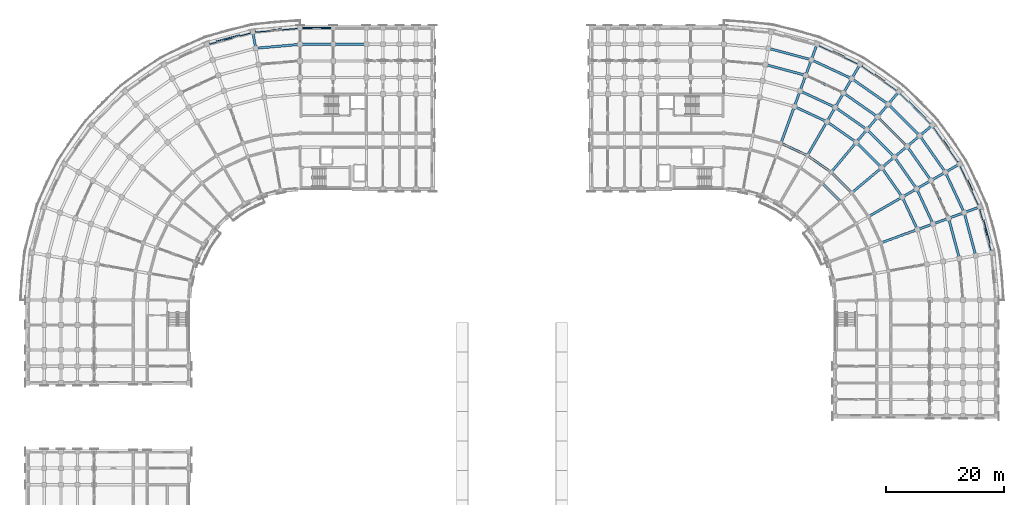
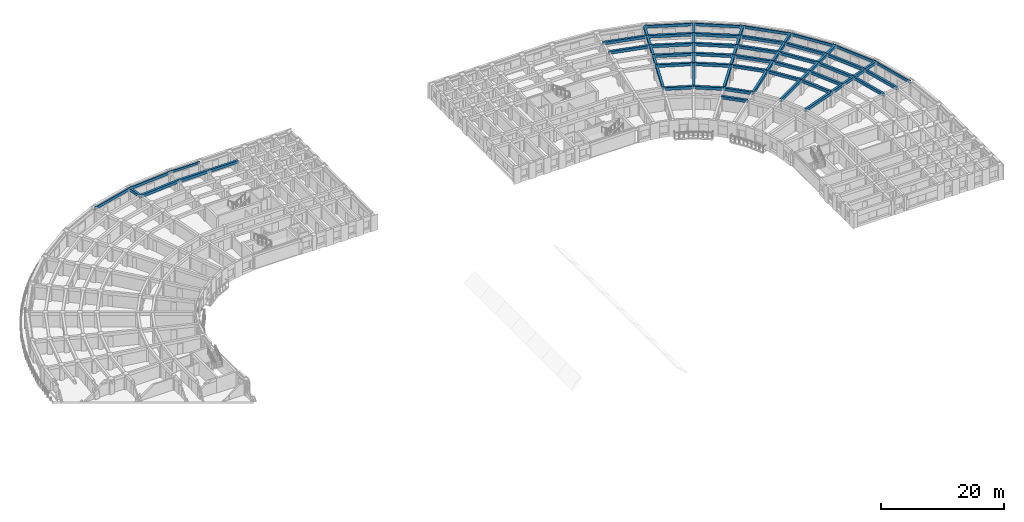
# One storey, part 12 of 54: 71 beams.
"""IFC4 building model written with IfcOpenShell, lengths in metres."""

import ifcopenshell
import ifcopenshell.guid

model = None  # the IFC model being written
_history = None  # IfcOwnerHistory: only IFC2X3 demands one
_inside = {}  # id of a spatial element -> (the spatial element, [elements in it])
_under = {}  # id of a project, library or spatial element -> (it, [spatial elements below it])
_declared = {}  # id of a project -> (the project, [libraries it declares])
_typed = {}  # id of a type object -> (the type object, [elements of that type])
_made_of = {}  # id of a material, layer set ... -> (it, [elements and type objects made of it])


def new_model(schema):
    """Start an empty IFC model of exactly this schema.

    Asked for "IFC4X3", IfcOpenShell would pick the latest addendum, in which some entities
    have other attributes; the version numbers below select the first issue.
    IFC2X3 requires an IfcOwnerHistory on every rooted entity: one is made here for all.
    """
    global model, _history
    if schema == "IFC4X3":
        model = ifcopenshell.file(schema_version=(4, 3, 0, 0))
    else:
        model = ifcopenshell.file(schema=schema)
    _inside.clear()
    _under.clear()
    _declared.clear()
    _typed.clear()
    _made_of.clear()
    _history = None
    if model.schema == "IFC2X3":
        org = make("IfcOrganization", Name="unknown")
        user = make(
            "IfcPersonAndOrganization",
            ThePerson=make("IfcPerson", FamilyName="unknown"),
            TheOrganization=org,
        )
        app = make(
            "IfcApplication",
            ApplicationDeveloper=org,
            Version="unknown",
            ApplicationFullName="unknown",
            ApplicationIdentifier="unknown",
        )
        _history = make(
            "IfcOwnerHistory",
            OwningUser=user,
            OwningApplication=app,
            ChangeAction="ADDED",
            CreationDate=0,
        )
    return model


def make(cls, **values):
    """One entity of the class cls with the attributes given. An attribute that is None is left unset."""
    return model.create_entity(
        cls, **{name: value for name, value in values.items() if value is not None}
    )


def rooted(cls, **values):
    """An entity with a GlobalId (a new one), such as an element, a storey or a relation."""
    return make(cls, GlobalId=ifcopenshell.guid.new(), OwnerHistory=_history, **values)


def si_unit(unit_type, name, prefix=None):
    """IfcSIUnit, for example si_unit("LENGTHUNIT", "METRE", prefix="MILLI")."""
    return make("IfcSIUnit", UnitType=unit_type, Prefix=prefix, Name=name)


def assignment(units):
    """IfcUnitAssignment: the units of a project."""
    return None if units is None else make("IfcUnitAssignment", Units=units)


def point(xyz):
    """IfcCartesianPoint."""
    return None if xyz is None else make("IfcCartesianPoint", Coordinates=xyz)


def direction(xyz):
    """IfcDirection."""
    return None if xyz is None else make("IfcDirection", DirectionRatios=xyz)


def frame(location, z_axis=None, x_axis=None):
    """IfcAxis2Placement3D, a coordinate frame: its origin and axes. An axis left out is left unset."""
    return make(
        "IfcAxis2Placement3D",
        Location=point(location),
        Axis=direction(z_axis),
        RefDirection=direction(x_axis),
    )


def frame_2d(location, x_axis=None):
    """IfcAxis2Placement2D, a coordinate frame in the plane: its origin and x axis."""
    return make(
        "IfcAxis2Placement2D", Location=point(location), RefDirection=direction(x_axis)
    )


def origin():
    """The frame at (0, 0, 0) with its axes left unset."""
    return frame((0.0, 0.0, 0.0))


def origin_2d():
    """The frame at (0, 0) in the plane with its x axis left unset."""
    return frame_2d((0.0, 0.0))


def place(relative_to, where):
    """IfcLocalPlacement: puts the frame where relative to a parent placement (None: the world)."""
    return make(
        "IfcLocalPlacement", PlacementRelTo=relative_to, RelativePlacement=where
    )


def context(
    kind, dimensions, precision=None, world=None, true_north=None, identifier=None
):
    """IfcGeometricRepresentationContext, for example the 3D "Model" context."""
    return make(
        "IfcGeometricRepresentationContext",
        ContextIdentifier=identifier,
        ContextType=kind,
        CoordinateSpaceDimension=dimensions,
        Precision=precision,
        WorldCoordinateSystem=world,
        TrueNorth=true_north,
    )


def subcontext(parent, identifier, kind, view, scale=None):
    """IfcGeometricRepresentationSubContext, for example "Body" below "Model"."""
    return make(
        "IfcGeometricRepresentationSubContext",
        ContextIdentifier=identifier,
        ContextType=kind,
        ParentContext=parent,
        TargetScale=scale,
        TargetView=view,
    )


def project(units=None, contexts=None):
    """IfcProject with its units and contexts."""
    return rooted(
        "IfcProject",
        Name="project",
        RepresentationContexts=contexts,
        UnitsInContext=assignment(units),
    )


def spatial(cls, under=None, at=None, **own):
    """A site, building, storey or space (cls), placed at a placement, below another one or the project."""
    s = rooted(cls, ObjectPlacement=at, **own)
    if under is not None:
        _under.setdefault(under.id(), (under, []))[1].append(s)
    return s


def profile(cls, at=None, kind="AREA", **sizes):
    """A parametric profile (cls). Its sizes go by their IFC names, for example OverallWidth=200.0."""
    return make(cls, ProfileType=kind, Position=at, **sizes)


def rectangle(**sizes):
    """IfcRectangleProfileDef."""
    return profile("IfcRectangleProfileDef", **sizes)


def extrude(swept, where, along, depth):
    """IfcExtrudedAreaSolid: the profile swept, set in the frame where, extruded along a direction by depth."""
    return make(
        "IfcExtrudedAreaSolid",
        SweptArea=swept,
        Position=where,
        ExtrudedDirection=direction(along),
        Depth=depth,
    )


def shape(context_of_items, identifier, shape_type, items):
    """IfcShapeRepresentation: the items that make up one representation, for example the "Body"."""
    return make(
        "IfcShapeRepresentation",
        ContextOfItems=context_of_items,
        RepresentationIdentifier=identifier,
        RepresentationType=shape_type,
        Items=items,
    )


def material(Name=None, Category=None):
    """IfcMaterial."""
    return make("IfcMaterial", Name=Name, Category=Category)


def material_profile(
    of_material, cross_section, Name=None, Category=None, Priority=None
):
    """IfcMaterialProfile: a cross section and its material."""
    return make(
        "IfcMaterialProfile",
        Name=Name,
        Material=of_material,
        Profile=cross_section,
        Priority=Priority,
        Category=Category,
    )


def profile_set(profiles, Name=None, composite=None):
    """IfcMaterialProfileSet."""
    return make(
        "IfcMaterialProfileSet",
        Name=Name,
        MaterialProfiles=profiles,
        CompositeProfile=composite,
    )


def made_of(thing, what):
    """Note that an element or type object is made of a material, layer set ...; save() writes the relation."""
    if what is not None:
        _made_of.setdefault(what.id(), (what, []))[1].append(thing)
    return thing


def type_object(cls, material=None, **own):
    """A type object (cls), such as IfcWallType, which elements share."""
    return made_of(rooted(cls, **own), material)


def element(
    cls,
    number,
    at=None,
    inside=None,
    cuts=None,
    type_object=None,
    material=None,
    context=None,
    identifier="Body",
    shape_type=None,
    held_by="IfcProductDefinitionShape",
    body=None,
    shapes=None,
    **own,
):
    """One element of the class cls, such as IfcWall. Its Tag is "e" and its number.

    at: its placement. inside: the storey or other place that contains it. cuts: it is an
    opening in that element (IfcRelVoidsElement). A single representation is given by context,
    identifier, shape_type and body (its items); several are given by shapes. held_by: the class
    of the entity that holds the representations. save() writes the other relations.
    """
    e = rooted(cls, Tag="e%d" % number, ObjectPlacement=at, **own)
    if body is not None:
        shapes = [shape(context, identifier, shape_type, body)]
    if shapes is not None:
        e.Representation = make(held_by, Representations=shapes)
    if inside is not None:
        _inside.setdefault(inside.id(), (inside, []))[1].append(e)
    if cuts is not None:
        rooted(
            "IfcRelVoidsElement", RelatingBuildingElement=cuts, RelatedOpeningElement=e
        )
    if type_object is not None:
        _typed.setdefault(type_object.id(), (type_object, []))[1].append(e)
    return made_of(e, material)


def aggregate(whole, parts):
    """IfcRelAggregates: a whole, such as a stair, and the parts it consists of."""
    return rooted("IfcRelAggregates", RelatingObject=whole, RelatedObjects=parts)


def save(model, path):
    """Write the relations noted so far, then the file.

    IfcRelAggregates (storeys below a building ...), IfcRelContainedInSpatialStructure (elements
    in a storey), IfcRelDefinesByType, IfcRelAssociatesMaterial and IfcRelDeclares: one each for
    every whole, place, type object, material and project.
    """
    for whole, parts in _under.values():
        aggregate(whole, parts)
    for where, things in _inside.values():
        rooted(
            "IfcRelContainedInSpatialStructure",
            RelatedElements=things,
            RelatingStructure=where,
        )
    for kind, things in _typed.values():
        rooted("IfcRelDefinesByType", RelatedObjects=things, RelatingType=kind)
    for what, things in _made_of.values():
        rooted("IfcRelAssociatesMaterial", RelatedObjects=things, RelatingMaterial=what)
    for by, libraries in _declared.values():
        rooted("IfcRelDeclares", RelatingContext=by, RelatedDefinitions=libraries)
    model.write(path)


model = new_model("IFC4")

# Units and contexts
model_context = context("Model", 3, precision=1e-05, world=origin(), true_north=direction((0.0, 1.0)))
body_context = subcontext(model_context, "Body", "Model", "MODEL_VIEW")
ifc_project = project(units=[si_unit("LENGTHUNIT", "METRE"), si_unit("AREAUNIT", "SQUARE_METRE"), si_unit("VOLUMEUNIT", "CUBIC_METRE"), si_unit("PLANEANGLEUNIT", "RADIAN"), si_unit("MASSUNIT", "GRAM", prefix="KILO")], contexts=[model_context])

# Site, building, storey
site_placement = place(None, origin())
site = spatial("IfcSite", under=ifc_project, at=site_placement, CompositionType="ELEMENT")
building_placement = place(site_placement, origin())
building = spatial("IfcBuilding", under=site, at=building_placement, Name="Kiranvali Square Residences", CompositionType="ELEMENT")
storey_placement = place(building_placement, frame((0.0, 0.0, 11.85009765625)))
storey = spatial("IfcBuildingStorey", under=building, at=storey_placement, Name="L03", CompositionType="ELEMENT", Elevation=11.85009765625)

# Beams
ifc_material_1 = material(Name="Concrete M45 (45 MPa)", Category="concrete")
ifc_material_profile_1 = material_profile(ifc_material_1, rectangle(XDim=0.39990234375, YDim=0.550048828125, at=origin_2d()), Name="RC 400x550")
ifc_profile_set_1 = profile_set([ifc_material_profile_1], Name="Concrete M45 (45 MPa)")
beam_type_1 = type_object("IfcBeamType", Name="BM-M45-400x550", PredefinedType="BEAM", material=ifc_profile_set_1)
beam_1_placement = place(storey_placement, frame((48.199951171875, 131.0, 2.65478515625), z_axis=(-0.996195195417, -0.087150058103, 0.0), x_axis=(0.087150058103, -0.996195195417, 0.0)))
element("IfcBeam", 1, at=beam_1_placement, inside=storey, type_object=beam_type_1, Name="L03 beam BM-A-L03-C00-R6", PredefinedType="BEAM", context=body_context, shape_type="SweptSolid", body=[
    extrude(rectangle(XDim=0.39990234375, YDim=0.550048828125, at=origin_2d()), origin(), (0.0, 0.0, 1.0), 7.530029296875),
])
beam_2_placement = place(storey_placement, frame((40.698486328125, 130.34375, 2.65478515625), z_axis=(-0.173695795656, 0.984799355489, 0.0), x_axis=(-0.984799355489, -0.173695795656, 0.0)))
element("IfcBeam", 2, at=beam_2_placement, inside=storey, type_object=beam_type_1, Name="L03 beam BM-A-L03-RAD01-67", PredefinedType="BEAM", context=body_context, shape_type="SweptSolid", body=[
    extrude(rectangle(XDim=0.39990234375, YDim=0.550048828125, at=origin_2d()), origin(), (0.0, 0.0, 1.0), 2.7998046875),
])
beam_3_placement = place(storey_placement, frame((48.199951171875, 131.0, 2.65478515625), z_axis=(1.0, 0.0, 0.0), x_axis=(0.0, 1.0, 0.0)))
element("IfcBeam", 3, at=beam_3_placement, inside=storey, type_object=beam_type_1, Name="L03 beam BM-A-L03-A1U0-R6", PredefinedType="BEAM", context=body_context, shape_type="SweptSolid", body=[
    extrude(rectangle(XDim=0.39990234375, YDim=0.550048828125, at=origin_2d()), origin(), (0.0, 0.0, 1.0), 5.60009765625),
])
beam_4_placement = place(storey_placement, frame((53.800048828125, 131.0, 2.65478515625), z_axis=(1.0, 0.0, 0.0), x_axis=(0.0, 1.0, 0.0)))
element("IfcBeam", 4, at=beam_4_placement, inside=storey, type_object=beam_type_1, Name="L03 beam BM-A-L03-A1U1-R6", PredefinedType="BEAM", context=body_context, shape_type="SweptSolid", body=[
    extrude(rectangle(XDim=0.39990234375, YDim=0.550048828125, at=origin_2d()), origin(), (0.0, 0.0, 1.0), 5.599853515625),
])
beam_5_placement = place(storey_placement, frame((126.8154296875, 127.586181640625, 2.65478515625), z_axis=(0.965931029817, -0.258799624492, 0.0), x_axis=(0.258799624492, 0.965931029817, 0.0)))
element("IfcBeam", 5, at=beam_5_placement, inside=storey, type_object=beam_type_1, Name="L03 beam BM-B-L03-C01-R5", PredefinedType="BEAM", context=body_context, shape_type="SweptSolid", body=[
    extrude(rectangle(XDim=0.39990234375, YDim=0.550048828125, at=origin_2d()), origin(), (0.0, 0.0, 1.0), 7.042236328125),
])
beam_6_placement = place(storey_placement, frame((127.301513671875, 130.34375, 2.65478515625), z_axis=(0.965925909693, -0.258818733833, 0.0), x_axis=(0.258818733833, 0.965925909693, 0.0)))
element("IfcBeam", 6, at=beam_6_placement, inside=storey, type_object=beam_type_1, Name="L03 beam BM-B-L03-C01-R6", PredefinedType="BEAM", context=body_context, shape_type="SweptSolid", body=[
    extrude(rectangle(XDim=0.39990234375, YDim=0.550048828125, at=origin_2d()), origin(), (0.0, 0.0, 1.0), 7.5302734375),
])
beam_7_placement = place(storey_placement, frame((129.445068359375, 114.29931640625, 2.65478515625), z_axis=(0.906302381024, -0.422629854778, 0.0), x_axis=(0.422629854778, 0.906302381024, 0.0)))
element("IfcBeam", 7, at=beam_7_placement, inside=storey, type_object=beam_type_1, Name="L03 beam BM-B-L03-C02-R2", PredefinedType="BEAM", context=body_context, shape_type="SweptSolid", body=[
    extrude(rectangle(XDim=0.39990234375, YDim=0.550048828125, at=origin_2d()), origin(), (0.0, 0.0, 1.0), 4.915283203125),
])
beam_8_placement = place(storey_placement, frame((131.702392578125, 120.501220703125, 2.65478515625), z_axis=(0.906312656069, -0.42260781991, 0.0), x_axis=(0.42260781991, 0.906312656069, 0.0)))
element("IfcBeam", 8, at=beam_8_placement, inside=storey, type_object=beam_type_1, Name="L03 beam BM-B-L03-C02-R3", PredefinedType="BEAM", context=body_context, shape_type="SweptSolid", body=[
    extrude(rectangle(XDim=0.39990234375, YDim=0.550048828125, at=origin_2d()), origin(), (0.0, 0.0, 1.0), 6.06591796875),
])
beam_9_placement = place(storey_placement, frame((132.659912109375, 123.13232421875, 2.65478515625), z_axis=(0.906318225223, -0.422595876255, 0.0), x_axis=(0.422595876255, 0.906318225223, 0.0)))
element("IfcBeam", 9, at=beam_9_placement, inside=storey, type_object=beam_type_1, Name="L03 beam BM-B-L03-C02-R4", PredefinedType="BEAM", context=body_context, shape_type="SweptSolid", body=[
    extrude(rectangle(XDim=0.39990234375, YDim=0.550048828125, at=origin_2d()), origin(), (0.0, 0.0, 1.0), 6.55419921875),
])
beam_10_placement = place(storey_placement, frame((133.61767578125, 125.763671875, 2.65478515625), z_axis=(0.906297360311, -0.422640621205, 0.0), x_axis=(0.422640621205, 0.906297360311, 0.0)))
element("IfcBeam", 10, at=beam_10_placement, inside=storey, type_object=beam_type_1, Name="L03 beam BM-B-L03-C02-R5", PredefinedType="BEAM", context=body_context, shape_type="SweptSolid", body=[
    extrude(rectangle(XDim=0.39990234375, YDim=0.550048828125, at=origin_2d()), origin(), (0.0, 0.0, 1.0), 7.042236328125),
])
beam_11_placement = place(storey_placement, frame((134.5751953125, 128.394775390625, 2.65478515625), z_axis=(0.90630982703, -0.422613886933, 0.0), x_axis=(0.422613886933, 0.90630982703, 0.0)))
element("IfcBeam", 11, at=beam_11_placement, inside=storey, type_object=beam_type_1, Name="L03 beam BM-B-L03-C02-R6", PredefinedType="BEAM", context=body_context, shape_type="SweptSolid", body=[
    extrude(rectangle(XDim=0.39990234375, YDim=0.550048828125, at=origin_2d()), origin(), (0.0, 0.0, 1.0), 7.5302734375),
])
beam_12_placement = place(storey_placement, frame((133.89990234375, 112.221923828125, 2.65478515625), z_axis=(0.819140911474, -0.573592335331, 0.0), x_axis=(0.573592335331, 0.819140911474, 0.0)))
element("IfcBeam", 12, at=beam_12_placement, inside=storey, type_object=beam_type_1, Name="L03 beam BM-B-L03-C03-R2", PredefinedType="BEAM", context=body_context, shape_type="SweptSolid", body=[
    extrude(rectangle(XDim=0.39990234375, YDim=0.550048828125, at=origin_2d()), origin(), (0.0, 0.0, 1.0), 4.915771484375),
])
beam_13_placement = place(storey_placement, frame((137.199951171875, 117.937744140625, 2.65478515625), z_axis=(0.81913926159, -0.573594691504, 0.0), x_axis=(0.573594691504, 0.81913926159, 0.0)))
element("IfcBeam", 13, at=beam_13_placement, inside=storey, type_object=beam_type_1, Name="L03 beam BM-B-L03-C03-R3", PredefinedType="BEAM", context=body_context, shape_type="SweptSolid", body=[
    extrude(rectangle(XDim=0.39990234375, YDim=0.550048828125, at=origin_2d()), origin(), (0.0, 0.0, 1.0), 6.066162109375),
])
beam_14_placement = place(storey_placement, frame((138.60009765625, 120.362548828125, 2.65478515625), z_axis=(0.819144409176, -0.573587340268, 0.0), x_axis=(0.573587340268, 0.819144409176, 0.0)))
element("IfcBeam", 14, at=beam_14_placement, inside=storey, type_object=beam_type_1, Name="L03 beam BM-B-L03-C03-R4", PredefinedType="BEAM", context=body_context, shape_type="SweptSolid", body=[
    extrude(rectangle(XDim=0.39990234375, YDim=0.550048828125, at=origin_2d()), origin(), (0.0, 0.0, 1.0), 6.553955078125),
])
beam_15_placement = place(storey_placement, frame((140.0, 122.787353515625, 2.65478515625), z_axis=(0.819160249246, -0.57356471828, 0.0), x_axis=(0.57356471828, 0.819160249246, 0.0)))
element("IfcBeam", 15, at=beam_15_placement, inside=storey, type_object=beam_type_1, Name="L03 beam BM-B-L03-C03-R5", PredefinedType="BEAM", context=body_context, shape_type="SweptSolid", body=[
    extrude(rectangle(XDim=0.39990234375, YDim=0.550048828125, at=origin_2d()), origin(), (0.0, 0.0, 1.0), 7.0419921875),
])
beam_16_placement = place(storey_placement, frame((141.39990234375, 125.21240234375, 2.65478515625), z_axis=(0.819143569597, -0.573588539275, 0.0), x_axis=(0.573588539275, 0.819143569597, 0.0)))
element("IfcBeam", 16, at=beam_16_placement, inside=storey, type_object=beam_type_1, Name="L03 beam BM-B-L03-C03-R6", PredefinedType="BEAM", context=body_context, shape_type="SweptSolid", body=[
    extrude(rectangle(XDim=0.39990234375, YDim=0.550048828125, at=origin_2d()), origin(), (0.0, 0.0, 1.0), 7.5302734375),
])
beam_17_placement = place(storey_placement, frame((136.384033203125, 107.56396484375, 2.65478515625), z_axis=(0.707106781187, -0.707106781187, 0.0), x_axis=(0.707106781187, 0.707106781187, 0.0)))
element("IfcBeam", 17, at=beam_17_placement, inside=storey, type_object=beam_type_1, Name="L03 beam BM-B-L03-C04-R1", PredefinedType="BEAM", context=body_context, shape_type="SweptSolid", body=[
    extrude(rectangle(XDim=0.39990234375, YDim=0.550048828125, at=origin_2d()), origin(), (0.0, 0.0, 1.0), 4.4970703125),
])
beam_18_placement = place(storey_placement, frame((137.926513671875, 109.40234375, 2.65478515625), z_axis=(0.707106781187, -0.707106781187, 0.0), x_axis=(0.707106781187, 0.707106781187, 0.0)))
element("IfcBeam", 18, at=beam_18_placement, inside=storey, type_object=beam_type_1, Name="L03 beam BM-B-L03-C04-R2", PredefinedType="BEAM", context=body_context, shape_type="SweptSolid", body=[
    extrude(rectangle(XDim=0.39990234375, YDim=0.550048828125, at=origin_2d()), origin(), (0.0, 0.0, 1.0), 4.91552734375),
])
beam_19_placement = place(storey_placement, frame((142.1689453125, 114.458251953125, 2.65478515625), z_axis=(0.707106781187, -0.707106781187, 0.0), x_axis=(0.707106781187, 0.707106781187, 0.0)))
element("IfcBeam", 19, at=beam_19_placement, inside=storey, type_object=beam_type_1, Name="L03 beam BM-B-L03-C04-R3", PredefinedType="BEAM", context=body_context, shape_type="SweptSolid", body=[
    extrude(rectangle(XDim=0.39990234375, YDim=0.550048828125, at=origin_2d()), origin(), (0.0, 0.0, 1.0), 6.06591796875),
])
beam_20_placement = place(storey_placement, frame((143.96875, 116.603271484375, 2.65478515625), z_axis=(0.707106781187, -0.707106781187, 0.0), x_axis=(0.707106781187, 0.707106781187, 0.0)))
element("IfcBeam", 20, at=beam_20_placement, inside=storey, type_object=beam_type_1, Name="L03 beam BM-B-L03-C04-R4", PredefinedType="BEAM", context=body_context, shape_type="SweptSolid", body=[
    extrude(rectangle(XDim=0.39990234375, YDim=0.550048828125, at=origin_2d()), origin(), (0.0, 0.0, 1.0), 6.55419921875),
])
beam_21_placement = place(storey_placement, frame((145.7685546875, 118.748291015625, 2.65478515625), z_axis=(0.707106781187, -0.707106781187, 0.0), x_axis=(0.707106781187, 0.707106781187, 0.0)))
element("IfcBeam", 21, at=beam_21_placement, inside=storey, type_object=beam_type_1, Name="L03 beam BM-B-L03-C04-R5", PredefinedType="BEAM", context=body_context, shape_type="SweptSolid", body=[
    extrude(rectangle(XDim=0.39990234375, YDim=0.550048828125, at=origin_2d()), origin(), (0.0, 0.0, 1.0), 7.04248046875),
])
beam_22_placement = place(storey_placement, frame((147.568359375, 120.89306640625, 2.65478515625), z_axis=(0.707106781187, -0.707106781187, 0.0), x_axis=(0.707106781187, 0.707106781187, 0.0)))
element("IfcBeam", 22, at=beam_22_placement, inside=storey, type_object=beam_type_1, Name="L03 beam BM-B-L03-C04-R6", PredefinedType="BEAM", context=body_context, shape_type="SweptSolid", body=[
    extrude(rectangle(XDim=0.39990234375, YDim=0.550048828125, at=origin_2d()), origin(), (0.0, 0.0, 1.0), 7.5302734375),
])
beam_23_placement = place(storey_placement, frame((146.458251953125, 110.1689453125, 2.65478515625), z_axis=(0.573594691504, -0.81913926159, 0.0), x_axis=(0.81913926159, 0.573594691504, 0.0)))
element("IfcBeam", 23, at=beam_23_placement, inside=storey, type_object=beam_type_1, Name="L03 beam BM-B-L03-C05-R3", PredefinedType="BEAM", context=body_context, shape_type="SweptSolid", body=[
    extrude(rectangle(XDim=0.39990234375, YDim=0.550048828125, at=origin_2d()), origin(), (0.0, 0.0, 1.0), 6.066162109375),
])
beam_24_placement = place(storey_placement, frame((148.603271484375, 111.96875, 2.65478515625), z_axis=(0.573587340268, -0.819144409176, 0.0), x_axis=(0.819144409176, 0.573587340268, 0.0)))
element("IfcBeam", 24, at=beam_24_placement, inside=storey, type_object=beam_type_1, Name="L03 beam BM-B-L03-C05-R4", PredefinedType="BEAM", context=body_context, shape_type="SweptSolid", body=[
    extrude(rectangle(XDim=0.39990234375, YDim=0.550048828125, at=origin_2d()), origin(), (0.0, 0.0, 1.0), 6.553955078125),
])
beam_25_placement = place(storey_placement, frame((150.748291015625, 113.7685546875, 2.65478515625), z_axis=(0.57356471828, -0.819160249246, 0.0), x_axis=(0.819160249246, 0.57356471828, 0.0)))
element("IfcBeam", 25, at=beam_25_placement, inside=storey, type_object=beam_type_1, Name="L03 beam BM-B-L03-C05-R5", PredefinedType="BEAM", context=body_context, shape_type="SweptSolid", body=[
    extrude(rectangle(XDim=0.39990234375, YDim=0.550048828125, at=origin_2d()), origin(), (0.0, 0.0, 1.0), 7.0419921875),
])
beam_26_placement = place(storey_placement, frame((152.89306640625, 115.568359375, 2.65478515625), z_axis=(0.573588539275, -0.819143569597, 0.0), x_axis=(0.819143569597, 0.573588539275, 0.0)))
element("IfcBeam", 26, at=beam_26_placement, inside=storey, type_object=beam_type_1, Name="L03 beam BM-B-L03-C05-R6", PredefinedType="BEAM", context=body_context, shape_type="SweptSolid", body=[
    extrude(rectangle(XDim=0.39990234375, YDim=0.550048828125, at=origin_2d()), origin(), (0.0, 0.0, 1.0), 7.5302734375),
])
beam_27_placement = place(storey_placement, frame((149.937744140625, 105.199951171875, 2.65478515625), z_axis=(0.42260781991, -0.906312656069, 0.0), x_axis=(0.906312656069, 0.42260781991, 0.0)))
element("IfcBeam", 27, at=beam_27_placement, inside=storey, type_object=beam_type_1, Name="L03 beam BM-B-L03-C06-R3", PredefinedType="BEAM", context=body_context, shape_type="SweptSolid", body=[
    extrude(rectangle(XDim=0.39990234375, YDim=0.550048828125, at=origin_2d()), origin(), (0.0, 0.0, 1.0), 6.06591796875),
])
beam_28_placement = place(storey_placement, frame((152.362548828125, 106.60009765625, 2.65478515625), z_axis=(0.422595876255, -0.906318225223, 0.0), x_axis=(0.906318225223, 0.422595876255, 0.0)))
element("IfcBeam", 28, at=beam_28_placement, inside=storey, type_object=beam_type_1, Name="L03 beam BM-B-L03-C06-R4", PredefinedType="BEAM", context=body_context, shape_type="SweptSolid", body=[
    extrude(rectangle(XDim=0.39990234375, YDim=0.550048828125, at=origin_2d()), origin(), (0.0, 0.0, 1.0), 6.55419921875),
])
beam_29_placement = place(storey_placement, frame((154.787353515625, 108.0, 2.65478515625), z_axis=(0.422640621205, -0.906297360311, 0.0), x_axis=(0.906297360311, 0.422640621205, 0.0)))
element("IfcBeam", 29, at=beam_29_placement, inside=storey, type_object=beam_type_1, Name="L03 beam BM-B-L03-C06-R5", PredefinedType="BEAM", context=body_context, shape_type="SweptSolid", body=[
    extrude(rectangle(XDim=0.39990234375, YDim=0.550048828125, at=origin_2d()), origin(), (0.0, 0.0, 1.0), 7.042236328125),
])
beam_30_placement = place(storey_placement, frame((157.21240234375, 109.39990234375, 2.65478515625), z_axis=(0.422613886933, -0.90630982703, 0.0), x_axis=(0.90630982703, 0.422613886933, 0.0)))
element("IfcBeam", 30, at=beam_30_placement, inside=storey, type_object=beam_type_1, Name="L03 beam BM-B-L03-C06-R6", PredefinedType="BEAM", context=body_context, shape_type="SweptSolid", body=[
    extrude(rectangle(XDim=0.39990234375, YDim=0.550048828125, at=origin_2d()), origin(), (0.0, 0.0, 1.0), 7.5302734375),
])
beam_31_placement = place(storey_placement, frame((157.763671875, 101.61767578125, 2.65478515625), z_axis=(0.258799624492, -0.965931029817, 0.0), x_axis=(0.965931029817, 0.258799624492, 0.0)))
element("IfcBeam", 31, at=beam_31_placement, inside=storey, type_object=beam_type_1, Name="L03 beam BM-B-L03-C07-R5", PredefinedType="BEAM", context=body_context, shape_type="SweptSolid", body=[
    extrude(rectangle(XDim=0.39990234375, YDim=0.550048828125, at=origin_2d()), origin(), (0.0, 0.0, 1.0), 7.042236328125),
])
beam_32_placement = place(storey_placement, frame((160.394775390625, 102.5751953125, 2.65478515625), z_axis=(0.258818733833, -0.965925909693, 0.0), x_axis=(0.965925909693, 0.258818733833, 0.0)))
element("IfcBeam", 32, at=beam_32_placement, inside=storey, type_object=beam_type_1, Name="L03 beam BM-B-L03-C07-R6", PredefinedType="BEAM", context=body_context, shape_type="SweptSolid", body=[
    extrude(rectangle(XDim=0.39990234375, YDim=0.550048828125, at=origin_2d()), origin(), (0.0, 0.0, 1.0), 7.5302734375),
])
beam_33_placement = place(storey_placement, frame((129.445068359375, 114.29931640625, 2.65478515625), z_axis=(0.342022238372, 0.939691858249, 0.0), x_axis=(-0.939691858249, 0.342022238372, 0.0)))
element("IfcBeam", 33, at=beam_33_placement, inside=storey, type_object=beam_type_1, Name="L03 beam BM-B-L03-RAD02-23", PredefinedType="BEAM", context=body_context, shape_type="SweptSolid", body=[
    extrude(rectangle(XDim=0.39990234375, YDim=0.550048828125, at=origin_2d()), origin(), (0.0, 0.0, 1.0), 6.599853515625),
])
beam_34_placement = place(storey_placement, frame((131.702392578125, 120.501220703125, 2.65478515625), z_axis=(0.341981089711, 0.93970683422, 0.0), x_axis=(-0.93970683422, 0.341981089711, 0.0)))
element("IfcBeam", 34, at=beam_34_placement, inside=storey, type_object=beam_type_1, Name="L03 beam BM-B-L03-RAD02-34", PredefinedType="BEAM", context=body_context, shape_type="SweptSolid", body=[
    extrude(rectangle(XDim=0.39990234375, YDim=0.550048828125, at=origin_2d()), origin(), (0.0, 0.0, 1.0), 2.7998046875),
])
beam_35_placement = place(storey_placement, frame((132.659912109375, 123.13232421875, 2.65478515625), z_axis=(0.342030060398, 0.939689011208, 0.0), x_axis=(-0.939689011208, 0.342030060398, 0.0)))
element("IfcBeam", 35, at=beam_35_placement, inside=storey, type_object=beam_type_1, Name="L03 beam BM-B-L03-RAD02-45", PredefinedType="BEAM", context=body_context, shape_type="SweptSolid", body=[
    extrude(rectangle(XDim=0.39990234375, YDim=0.550048828125, at=origin_2d()), origin(), (0.0, 0.0, 1.0), 2.80029296875),
])
beam_36_placement = place(storey_placement, frame((133.61767578125, 125.763671875, 2.65478515625), z_axis=(0.341981089711, 0.93970683422, 0.0), x_axis=(-0.93970683422, 0.341981089711, 0.0)))
element("IfcBeam", 36, at=beam_36_placement, inside=storey, type_object=beam_type_1, Name="L03 beam BM-B-L03-RAD02-56", PredefinedType="BEAM", context=body_context, shape_type="SweptSolid", body=[
    extrude(rectangle(XDim=0.39990234375, YDim=0.550048828125, at=origin_2d()), origin(), (0.0, 0.0, 1.0), 2.7998046875),
])
beam_37_placement = place(storey_placement, frame((134.5751953125, 128.394775390625, 2.65478515625), z_axis=(0.342058084236, 0.939678810556, 0.0), x_axis=(-0.939678810556, 0.342058084236, 0.0)))
element("IfcBeam", 37, at=beam_37_placement, inside=storey, type_object=beam_type_1, Name="L03 beam BM-B-L03-RAD02-67", PredefinedType="BEAM", context=body_context, shape_type="SweptSolid", body=[
    extrude(rectangle(XDim=0.39990234375, YDim=0.550048828125, at=origin_2d()), origin(), (0.0, 0.0, 1.0), 2.800048828125),
])
beam_38_placement = place(storey_placement, frame((133.89990234375, 112.221923828125, 2.65478515625), z_axis=(0.500002094529, 0.866024194504, 0.0), x_axis=(-0.866024194504, 0.500002094529, 0.0)))
element("IfcBeam", 38, at=beam_38_placement, inside=storey, type_object=beam_type_1, Name="L03 beam BM-B-L03-RAD03-23", PredefinedType="BEAM", context=body_context, shape_type="SweptSolid", body=[
    extrude(rectangle(XDim=0.39990234375, YDim=0.550048828125, at=origin_2d()), origin(), (0.0, 0.0, 1.0), 6.60009765625),
])
beam_39_placement = place(storey_placement, frame((137.199951171875, 117.937744140625, 2.65478515625), z_axis=(0.500049511043, 0.865996816683, 0.0), x_axis=(-0.865996816683, 0.500049511043, 0.0)))
element("IfcBeam", 39, at=beam_39_placement, inside=storey, type_object=beam_type_1, Name="L03 beam BM-B-L03-RAD03-34", PredefinedType="BEAM", context=body_context, shape_type="SweptSolid", body=[
    extrude(rectangle(XDim=0.39990234375, YDim=0.550048828125, at=origin_2d()), origin(), (0.0, 0.0, 1.0), 2.800048828125),
])
beam_40_placement = place(storey_placement, frame((138.60009765625, 120.362548828125, 2.65478515625), z_axis=(0.49998411664, 0.866034573852, 0.0), x_axis=(-0.866034573852, 0.49998411664, 0.0)))
element("IfcBeam", 40, at=beam_40_placement, inside=storey, type_object=beam_type_1, Name="L03 beam BM-B-L03-RAD03-45", PredefinedType="BEAM", context=body_context, shape_type="SweptSolid", body=[
    extrude(rectangle(XDim=0.39990234375, YDim=0.550048828125, at=origin_2d()), origin(), (0.0, 0.0, 1.0), 2.7998046875),
])
for number, where, z_axis, x_axis, name in (
    (41, (140.0, 122.787353515625, 2.65478515625), (0.49994636267, 0.866056369097, 0.0), (-0.866056369097, 0.49994636267, 0.0), "L03 beam BM-B-L03-RAD03-56"),
    (42, (141.39990234375, 125.21240234375, 2.65478515625), (0.500049511043, 0.865996816683, 0.0), (-0.865996816683, 0.500049511043, 0.0), "L03 beam BM-B-L03-RAD03-67"),
):
    element("IfcBeam", number, at=place(storey_placement, frame(where, z_axis=z_axis, x_axis=x_axis)), inside=storey, type_object=beam_type_1, Name=name, PredefinedType="BEAM", context=body_context, shape_type="SweptSolid", body=[
        extrude(rectangle(XDim=0.39990234375, YDim=0.550048828125, at=origin_2d()), origin(), (0.0, 0.0, 1.0), 2.800048828125),
    ])
beam_41_placement = place(storey_placement, frame((137.926513671875, 109.40234375, 2.65478515625), z_axis=(0.642789470807, 0.766042881449, 0.0), x_axis=(-0.766042881449, 0.642789470807, 0.0)))
element("IfcBeam", 43, at=beam_41_placement, inside=storey, type_object=beam_type_1, Name="L03 beam BM-B-L03-RAD04-23", PredefinedType="BEAM", context=body_context, shape_type="SweptSolid", body=[
    extrude(rectangle(XDim=0.39990234375, YDim=0.550048828125, at=origin_2d()), origin(), (0.0, 0.0, 1.0), 6.60009765625),
])
for number, where, z_axis, x_axis, name in (
    (44, (142.1689453125, 114.458251953125, 2.65478515625), (0.642770757628, 0.766058583359, 0.0), (-0.766058583359, 0.642770757628, 0.0), "L03 beam BM-B-L03-RAD04-34"),
    (45, (143.96875, 116.603271484375, 2.65478515625), (0.642770757628, 0.766058583359, 0.0), (-0.766058583359, 0.642770757628, 0.0), "L03 beam BM-B-L03-RAD04-45"),
):
    element("IfcBeam", number, at=place(storey_placement, frame(where, z_axis=z_axis, x_axis=x_axis)), inside=storey, type_object=beam_type_1, Name=name, PredefinedType="BEAM", context=body_context, shape_type="SweptSolid", body=[
        extrude(rectangle(XDim=0.39990234375, YDim=0.550048828125, at=origin_2d()), origin(), (0.0, 0.0, 1.0), 2.800048828125),
    ])
beam_42_placement = place(storey_placement, frame((145.7685546875, 118.748291015625, 2.65478515625), z_axis=(0.642813692253, 0.76602255649, 0.0), x_axis=(-0.76602255649, 0.642813692253, 0.0)))
element("IfcBeam", 46, at=beam_42_placement, inside=storey, type_object=beam_type_1, Name="L03 beam BM-B-L03-RAD04-56", PredefinedType="BEAM", context=body_context, shape_type="SweptSolid", body=[
    extrude(rectangle(XDim=0.39990234375, YDim=0.550048828125, at=origin_2d()), origin(), (0.0, 0.0, 1.0), 2.7998046875),
])
beam_43_placement = place(storey_placement, frame((147.568359375, 120.89306640625, 2.65478515625), z_axis=(0.642770757628, 0.766058583359, 0.0), x_axis=(-0.766058583359, 0.642770757628, 0.0)))
element("IfcBeam", 47, at=beam_43_placement, inside=storey, type_object=beam_type_1, Name="L03 beam BM-B-L03-RAD04-67", PredefinedType="BEAM", context=body_context, shape_type="SweptSolid", body=[
    extrude(rectangle(XDim=0.39990234375, YDim=0.550048828125, at=origin_2d()), origin(), (0.0, 0.0, 1.0), 2.800048828125),
])
beam_44_placement = place(storey_placement, frame((141.40234375, 105.926513671875, 2.65478515625), z_axis=(0.766042881449, 0.642789470807, 0.0), x_axis=(-0.642789470807, 0.766042881449, 0.0)))
element("IfcBeam", 48, at=beam_44_placement, inside=storey, type_object=beam_type_1, Name="L03 beam BM-B-L03-RAD05-23", PredefinedType="BEAM", context=body_context, shape_type="SweptSolid", body=[
    extrude(rectangle(XDim=0.39990234375, YDim=0.550048828125, at=origin_2d()), origin(), (0.0, 0.0, 1.0), 6.60009765625),
])
for number, where, z_axis, x_axis, name in (
    (49, (146.458251953125, 110.1689453125, 2.65478515625), (0.766058583359, 0.642770757628, 0.0), (-0.642770757628, 0.766058583359, 0.0), "L03 beam BM-B-L03-RAD05-34"),
    (50, (148.603271484375, 111.96875, 2.65478515625), (0.766058583359, 0.642770757628, 0.0), (-0.642770757628, 0.766058583359, 0.0), "L03 beam BM-B-L03-RAD05-45"),
):
    element("IfcBeam", number, at=place(storey_placement, frame(where, z_axis=z_axis, x_axis=x_axis)), inside=storey, type_object=beam_type_1, Name=name, PredefinedType="BEAM", context=body_context, shape_type="SweptSolid", body=[
        extrude(rectangle(XDim=0.39990234375, YDim=0.550048828125, at=origin_2d()), origin(), (0.0, 0.0, 1.0), 2.800048828125),
    ])
beam_45_placement = place(storey_placement, frame((150.748291015625, 113.7685546875, 2.65478515625), z_axis=(0.76602255649, 0.642813692253, 0.0), x_axis=(-0.642813692253, 0.76602255649, 0.0)))
element("IfcBeam", 51, at=beam_45_placement, inside=storey, type_object=beam_type_1, Name="L03 beam BM-B-L03-RAD05-56", PredefinedType="BEAM", context=body_context, shape_type="SweptSolid", body=[
    extrude(rectangle(XDim=0.39990234375, YDim=0.550048828125, at=origin_2d()), origin(), (0.0, 0.0, 1.0), 2.7998046875),
])
beam_46_placement = place(storey_placement, frame((152.89306640625, 115.568359375, 2.65478515625), z_axis=(0.766058583359, 0.642770757628, 0.0), x_axis=(-0.642770757628, 0.766058583359, 0.0)))
element("IfcBeam", 52, at=beam_46_placement, inside=storey, type_object=beam_type_1, Name="L03 beam BM-B-L03-RAD05-67", PredefinedType="BEAM", context=body_context, shape_type="SweptSolid", body=[
    extrude(rectangle(XDim=0.39990234375, YDim=0.550048828125, at=origin_2d()), origin(), (0.0, 0.0, 1.0), 2.800048828125),
])
beam_47_placement = place(storey_placement, frame((144.221923828125, 101.89990234375, 2.65478515625), z_axis=(0.866024194504, 0.500002094529, 0.0), x_axis=(-0.500002094529, 0.866024194504, 0.0)))
element("IfcBeam", 53, at=beam_47_placement, inside=storey, type_object=beam_type_1, Name="L03 beam BM-B-L03-RAD06-23", PredefinedType="BEAM", context=body_context, shape_type="SweptSolid", body=[
    extrude(rectangle(XDim=0.39990234375, YDim=0.550048828125, at=origin_2d()), origin(), (0.0, 0.0, 1.0), 6.60009765625),
])
beam_48_placement = place(storey_placement, frame((149.937744140625, 105.199951171875, 2.65478515625), z_axis=(0.865996816683, 0.500049511043, 0.0), x_axis=(-0.500049511043, 0.865996816683, 0.0)))
element("IfcBeam", 54, at=beam_48_placement, inside=storey, type_object=beam_type_1, Name="L03 beam BM-B-L03-RAD06-34", PredefinedType="BEAM", context=body_context, shape_type="SweptSolid", body=[
    extrude(rectangle(XDim=0.39990234375, YDim=0.550048828125, at=origin_2d()), origin(), (0.0, 0.0, 1.0), 2.800048828125),
])
beam_49_placement = place(storey_placement, frame((152.362548828125, 106.60009765625, 2.65478515625), z_axis=(0.866034573852, 0.49998411664, 0.0), x_axis=(-0.49998411664, 0.866034573852, 0.0)))
element("IfcBeam", 55, at=beam_49_placement, inside=storey, type_object=beam_type_1, Name="L03 beam BM-B-L03-RAD06-45", PredefinedType="BEAM", context=body_context, shape_type="SweptSolid", body=[
    extrude(rectangle(XDim=0.39990234375, YDim=0.550048828125, at=origin_2d()), origin(), (0.0, 0.0, 1.0), 2.7998046875),
])
for number, where, z_axis, x_axis, name in (
    (56, (154.787353515625, 108.0, 2.65478515625), (0.866056369097, 0.49994636267, 0.0), (-0.49994636267, 0.866056369097, 0.0), "L03 beam BM-B-L03-RAD06-56"),
    (57, (157.21240234375, 109.39990234375, 2.65478515625), (0.865996816683, 0.500049511043, 0.0), (-0.500049511043, 0.865996816683, 0.0), "L03 beam BM-B-L03-RAD06-67"),
):
    element("IfcBeam", number, at=place(storey_placement, frame(where, z_axis=z_axis, x_axis=x_axis)), inside=storey, type_object=beam_type_1, Name=name, PredefinedType="BEAM", context=body_context, shape_type="SweptSolid", body=[
        extrude(rectangle(XDim=0.39990234375, YDim=0.550048828125, at=origin_2d()), origin(), (0.0, 0.0, 1.0), 2.800048828125),
    ])
beam_50_placement = place(storey_placement, frame((146.29931640625, 97.445068359375, 2.65478515625), z_axis=(0.939691858249, 0.342022238372, 0.0), x_axis=(-0.342022238372, 0.939691858249, 0.0)))
element("IfcBeam", 58, at=beam_50_placement, inside=storey, type_object=beam_type_1, Name="L03 beam BM-B-L03-RAD07-23", PredefinedType="BEAM", context=body_context, shape_type="SweptSolid", body=[
    extrude(rectangle(XDim=0.39990234375, YDim=0.550048828125, at=origin_2d()), origin(), (0.0, 0.0, 1.0), 6.599853515625),
])
beam_51_placement = place(storey_placement, frame((152.501220703125, 99.702392578125, 2.65478515625), z_axis=(0.93970683422, 0.341981089711, 0.0), x_axis=(-0.341981089711, 0.93970683422, 0.0)))
element("IfcBeam", 59, at=beam_51_placement, inside=storey, type_object=beam_type_1, Name="L03 beam BM-B-L03-RAD07-34", PredefinedType="BEAM", context=body_context, shape_type="SweptSolid", body=[
    extrude(rectangle(XDim=0.39990234375, YDim=0.550048828125, at=origin_2d()), origin(), (0.0, 0.0, 1.0), 2.7998046875),
])
beam_52_placement = place(storey_placement, frame((155.13232421875, 100.659912109375, 2.65478515625), z_axis=(0.939689011208, 0.342030060398, 0.0), x_axis=(-0.342030060398, 0.939689011208, 0.0)))
element("IfcBeam", 60, at=beam_52_placement, inside=storey, type_object=beam_type_1, Name="L03 beam BM-B-L03-RAD07-45", PredefinedType="BEAM", context=body_context, shape_type="SweptSolid", body=[
    extrude(rectangle(XDim=0.39990234375, YDim=0.550048828125, at=origin_2d()), origin(), (0.0, 0.0, 1.0), 2.80029296875),
])
beam_53_placement = place(storey_placement, frame((157.763671875, 101.61767578125, 2.65478515625), z_axis=(0.93970683422, 0.341981089711, 0.0), x_axis=(-0.341981089711, 0.93970683422, 0.0)))
element("IfcBeam", 61, at=beam_53_placement, inside=storey, type_object=beam_type_1, Name="L03 beam BM-B-L03-RAD07-56", PredefinedType="BEAM", context=body_context, shape_type="SweptSolid", body=[
    extrude(rectangle(XDim=0.39990234375, YDim=0.550048828125, at=origin_2d()), origin(), (0.0, 0.0, 1.0), 2.7998046875),
])
beam_54_placement = place(storey_placement, frame((160.394775390625, 102.5751953125, 2.65478515625), z_axis=(0.939678810556, 0.342058084236, 0.0), x_axis=(-0.342058084236, 0.939678810556, 0.0)))
element("IfcBeam", 62, at=beam_54_placement, inside=storey, type_object=beam_type_1, Name="L03 beam BM-B-L03-RAD07-67", PredefinedType="BEAM", context=body_context, shape_type="SweptSolid", body=[
    extrude(rectangle(XDim=0.39990234375, YDim=0.550048828125, at=origin_2d()), origin(), (0.0, 0.0, 1.0), 2.800048828125),
])
ifc_material_2 = material(Name="Concrete M40 (40 MPa)", Category="concrete")
ifc_material_profile_2 = material_profile(ifc_material_2, rectangle(XDim=0.25, YDim=0.449951171875, at=origin_2d()), Name="RC 250x450")
ifc_profile_set_2 = profile_set([ifc_material_profile_2], Name="Concrete M40 (40 MPa)")
beam_type_2 = type_object("IfcBeamType", Name="SPN-M40-250x450", PredefinedType="SPANDREL", material=ifc_profile_set_2)
beam_55_placement = place(storey_placement, frame((48.199951171875, 133.800048828125, 2.704833984375), z_axis=(1.0, 0.0, 0.0), x_axis=(0.0, 1.0, 0.0)))
element("IfcBeam", 63, at=beam_55_placement, inside=storey, type_object=beam_type_2, Name="L03 beam BM-A-L03-A1U0-R7", PredefinedType="SPANDREL", context=body_context, shape_type="SweptSolid", body=[
    extrude(rectangle(XDim=0.25, YDim=0.449951171875, at=origin_2d()), origin(), (0.0, 0.0, 1.0), 5.60009765625),
])
ifc_material_profile_3 = material_profile(ifc_material_2, rectangle(XDim=0.25, YDim=0.550048828125, at=origin_2d()), Name="RC 250x550")
ifc_profile_set_3 = profile_set([ifc_material_profile_3], Name="Concrete M40 (40 MPa)")
beam_type_3 = type_object("IfcBeamType", Name="SPN-M40-250x550", PredefinedType="SPANDREL", material=ifc_profile_set_3)
for number, where, z_axis, x_axis, name in (
    (64, (48.199951171875, 133.800048828125, 2.65478515625), (-0.996193254792, -0.087172238171, 0.0), (0.087172238171, -0.996193254792, 0.0), "L03 beam BM-A-L03-C00-R7"),
    (65, (40.212158203125, 133.10107421875, 2.65478515625), (-0.96592902462, -0.258807108475, 0.0), (0.258807108475, -0.96592902462, 0.0), "L03 beam BM-A-L03-C01-R7"),
    (66, (135.532958984375, 131.02587890625, 2.65478515625), (0.906309113636, -0.422615416827, 0.0), (0.422615416827, 0.906309113636, 0.0), "L03 beam BM-B-L03-C02-R7"),
    (67, (142.800048828125, 127.63720703125, 2.65478515625), (0.819147515001, -0.573582904791, 0.0), (0.573582904791, 0.819147515001, 0.0), "L03 beam BM-B-L03-C03-R7"),
):
    element("IfcBeam", number, at=place(storey_placement, frame(where, z_axis=z_axis, x_axis=x_axis)), inside=storey, type_object=beam_type_3, Name=name, PredefinedType="SPANDREL", context=body_context, shape_type="SweptSolid", body=[
        extrude(rectangle(XDim=0.25, YDim=0.550048828125, at=origin_2d()), origin(), (0.0, 0.0, 1.0), 8.018310546875),
    ])
beam_56_placement = place(storey_placement, frame((149.3681640625, 123.0380859375, 2.65478515625), z_axis=(0.707106781187, -0.707106781187, 0.0), x_axis=(0.707106781187, 0.707106781187, 0.0)))
element("IfcBeam", 68, at=beam_56_placement, inside=storey, type_object=beam_type_3, Name="L03 beam BM-B-L03-C04-R7", PredefinedType="SPANDREL", context=body_context, shape_type="SweptSolid", body=[
    extrude(rectangle(XDim=0.25, YDim=0.550048828125, at=origin_2d()), origin(), (0.0, 0.0, 1.0), 8.0185546875),
])
for number, where, z_axis, x_axis, name in (
    (69, (155.0380859375, 117.3681640625, 2.65478515625), (0.573582904791, -0.819147515001, 0.0), (0.819147515001, 0.573582904791, 0.0), "L03 beam BM-B-L03-C05-R7"),
    (70, (159.63720703125, 110.800048828125, 2.65478515625), (0.422615416827, -0.906309113636, 0.0), (0.906309113636, 0.422615416827, 0.0), "L03 beam BM-B-L03-C06-R7"),
    (71, (163.02587890625, 103.532958984375, 2.65478515625), (0.258807108475, -0.96592902462, 0.0), (0.96592902462, 0.258807108475, 0.0), "L03 beam BM-B-L03-C07-R7"),
):
    element("IfcBeam", number, at=place(storey_placement, frame(where, z_axis=z_axis, x_axis=x_axis)), inside=storey, type_object=beam_type_3, Name=name, PredefinedType="SPANDREL", context=body_context, shape_type="SweptSolid", body=[
        extrude(rectangle(XDim=0.25, YDim=0.550048828125, at=origin_2d()), origin(), (0.0, 0.0, 1.0), 8.018310546875),
    ])

save(model, "model.ifc")
